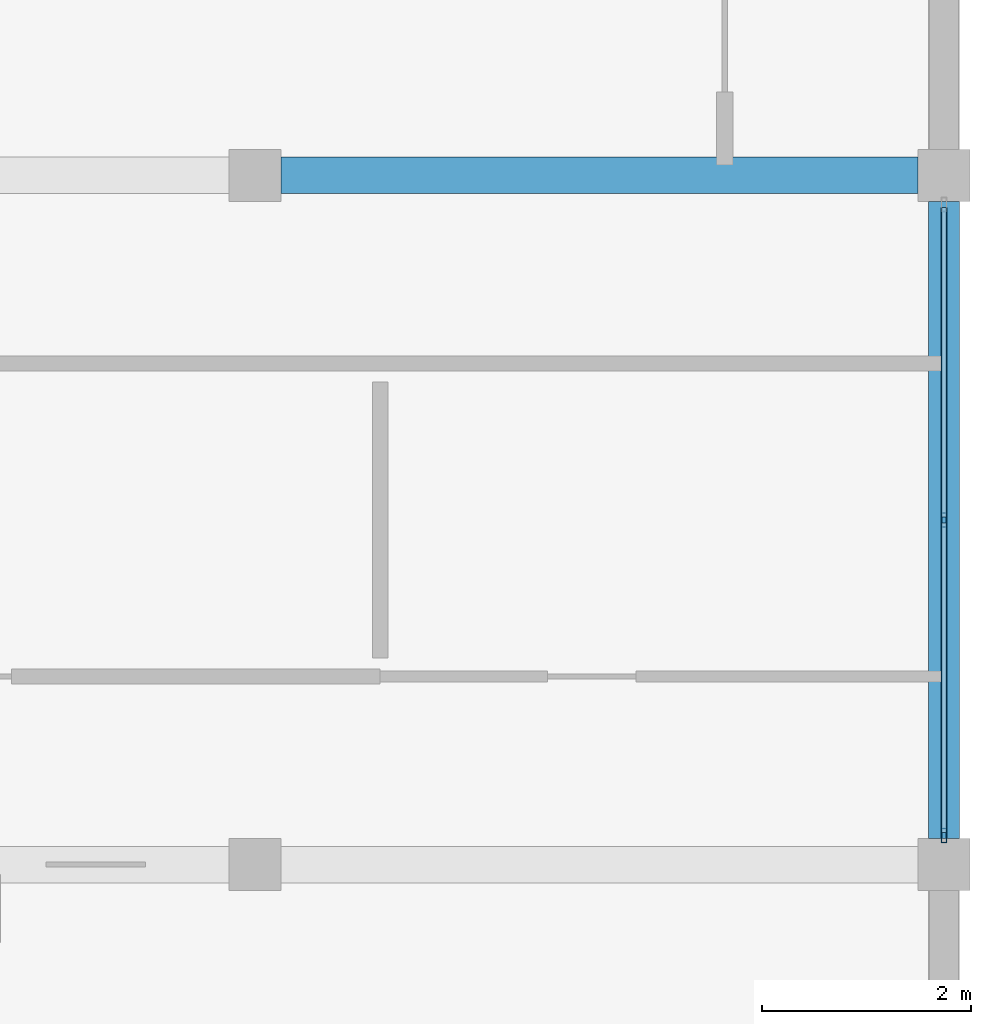
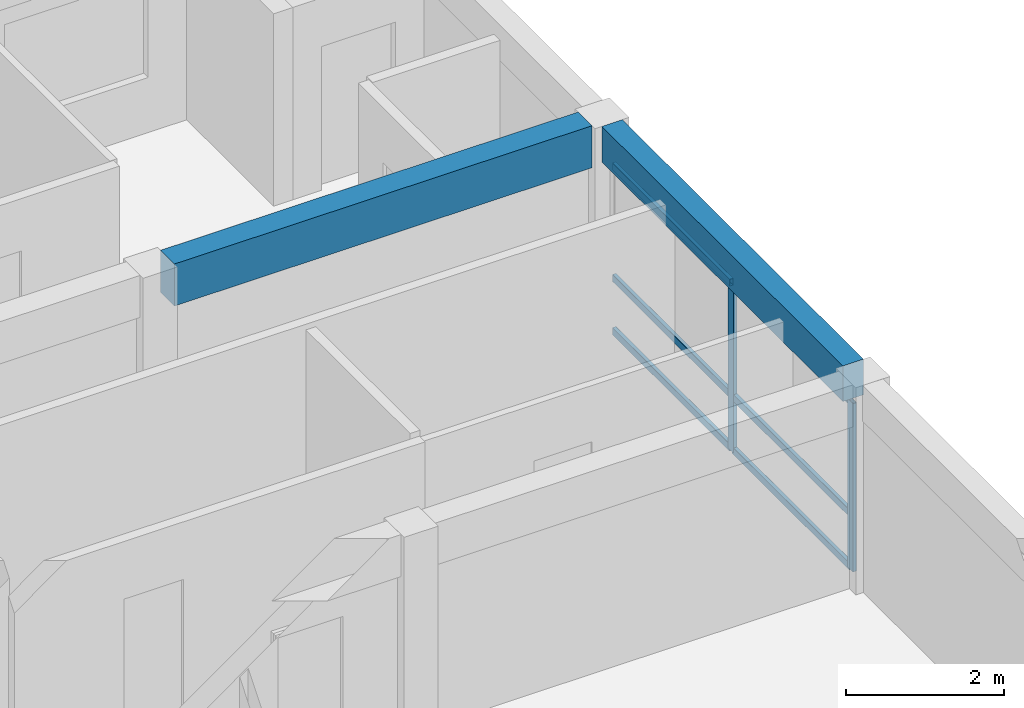
# One storey, part 21 of 46: 8 members, 2 beams, 1 element without a shape of its own.
"""IFC4 building model written with IfcOpenShell, lengths in metres."""

from ifc_helpers import new_model, si_unit, direction, frame, origin, origin_2d, place, context, subcontext, project, spatial, rectangle, hollow_rectangle, extrude, material, material_profile, profile_set, type_object, element, aggregate, save


model = new_model("IFC4")

# Units and contexts
model_context = context("Model", 3, precision=1e-05, world=origin(), true_north=direction((0.0, 1.0)))
body_context = subcontext(model_context, "Body", "Model", "MODEL_VIEW")
ifc_project = project(units=[si_unit("LENGTHUNIT", "METRE"), si_unit("AREAUNIT", "SQUARE_METRE"), si_unit("VOLUMEUNIT", "CUBIC_METRE"), si_unit("PLANEANGLEUNIT", "RADIAN"), si_unit("MASSUNIT", "GRAM", prefix="KILO")], contexts=[model_context])

# Site, building, storey
site_placement = place(None, origin())
site = spatial("IfcSite", under=ifc_project, at=site_placement, CompositionType="ELEMENT")
building_placement = place(site_placement, origin())
building = spatial("IfcBuilding", under=site, at=building_placement, Name="Kernevlak Ridge Housing Community", CompositionType="ELEMENT")
storey_placement = place(building_placement, frame((0.0, 0.0, 27.60009765625)))
storey = spatial("IfcBuildingStorey", under=building, at=storey_placement, Name="L08", CompositionType="ELEMENT", Elevation=27.60009765625)

# Beam
ifc_material_1 = material(Name="Concrete C35/45", Category="concrete")
ifc_material_profile_1 = material_profile(ifc_material_1, rectangle(XDim=0.35009765625, YDim=0.64990234375, at=origin_2d()), Name="RC 350x650")
ifc_profile_set_1 = profile_set([ifc_material_profile_1], Name="Concrete C35/45")
beam_type_1 = type_object("IfcBeamType", Name="B-02", PredefinedType="BEAM", material=ifc_profile_set_1)
beam_1_placement = place(storey_placement, frame((146.050048828125, 95.800048828125, 2.875), z_axis=(1.0, 0.0, 0.0), x_axis=(0.0, 1.0, 0.0)))
element("IfcBeam", 1, at=beam_1_placement, inside=storey, type_object=beam_type_1, Name="Beam B-02 L08 799", PredefinedType="BEAM", context=body_context, shape_type="SweptSolid", body=[
    extrude(rectangle(XDim=0.35009765625, YDim=0.64990234375, at=origin_2d()), origin(), (0.0, 0.0, 1.0), 6.099853515625),
])

# Curtain wall, members
ifc_material_2 = material(Name="Aluminium EN AW-6060 anodised and laminated glass", Category="aluminium")
curtain_wall_type = type_object("IfcCurtainWallType", Name="CW-12", PredefinedType="NOTDEFINED", material=ifc_material_2)
curtain_wall_placement = place(storey_placement, origin())
curtain_wall = element("IfcCurtainWall", 2, at=curtain_wall_placement, inside=storey, type_object=curtain_wall_type, Name="Curtain wall CW-12 CW-L08-081", PredefinedType="NOTDEFINED")
ifc_material_3 = material(Name="Aluminium EN AW-6060 anodised", Category="aluminium")
ifc_material_profile_2 = material_profile(ifc_material_3, hollow_rectangle(XDim=0.054931640625, YDim=0.139892578125, WallThickness=0.00390625, InnerFilletRadius=0.001953125, OuterFilletRadius=0.00390625, at=origin_2d()), Name="ALU 55x140x4")
ifc_profile_set_2 = profile_set([ifc_material_profile_2], Name="Aluminium EN AW-6060 anodised")
member_type_1 = type_object("IfcMemberType", Name="MU-01", PredefinedType="MULLION", material=ifc_profile_set_2)
member_1_placement = place(storey_placement, frame((152.39990234375, 89.4775390625, 0.0), z_axis=(0.0, 0.0, 1.0), x_axis=(-1.0, 0.0, 0.0)))
member_1 = element("IfcMember", 3, at=member_1_placement, type_object=member_type_1, Name="CW-12 mullion 1", PredefinedType="MULLION", context=body_context, shape_type="SweptSolid", body=[
    extrude(hollow_rectangle(XDim=0.054931640625, YDim=0.139892578125, WallThickness=0.00390625, InnerFilletRadius=0.001953125, OuterFilletRadius=0.00390625, at=origin_2d()), origin(), (0.0, 0.0, 1.0), 2.599853515625),
])
member_2_placement = place(storey_placement, frame((152.39990234375, 92.5, 0.0), z_axis=(0.0, 0.0, 1.0), x_axis=(-1.0, 0.0, 0.0)))
member_2 = element("IfcMember", 4, at=member_2_placement, type_object=member_type_1, Name="CW-12 mullion 2", PredefinedType="MULLION", context=body_context, shape_type="SweptSolid", body=[
    extrude(hollow_rectangle(XDim=0.054931640625, YDim=0.139892578125, WallThickness=0.00390625, InnerFilletRadius=0.001953125, OuterFilletRadius=0.00390625, at=origin_2d()), origin(), (0.0, 0.0, 1.0), 2.599853515625),
])

# Beam
ifc_material_profile_3 = material_profile(ifc_material_1, rectangle(XDim=0.300048828125, YDim=0.550048828125, at=origin_2d()), Name="RC 300x550")
ifc_profile_set_3 = profile_set([ifc_material_profile_3], Name="Concrete C35/45")
beam_type_2 = type_object("IfcBeamType", Name="SP-01", PredefinedType="SPANDREL", material=ifc_profile_set_3)
beam_2_placement = place(storey_placement, frame((152.39990234375, 89.449951171875, 2.9248046875), z_axis=(0.0, 1.0, 0.0), x_axis=(-1.0, 0.0, 0.0)))
element("IfcBeam", 5, at=beam_2_placement, inside=storey, type_object=beam_type_2, Name="Beam SP-01 L08 809", PredefinedType="SPANDREL", context=body_context, shape_type="SweptSolid", body=[
    extrude(rectangle(XDim=0.300048828125, YDim=0.550048828125, at=origin_2d()), origin(), (0.0, 0.0, 1.0), 6.10009765625),
])

# Member
ifc_material_profile_4 = material_profile(ifc_material_3, hollow_rectangle(XDim=0.054931640625, YDim=0.110107421875, WallThickness=0.00390625, InnerFilletRadius=0.001953125, OuterFilletRadius=0.00390625, at=origin_2d()), Name="ALU 55x110x4")
ifc_profile_set_4 = profile_set([ifc_material_profile_4], Name="Aluminium EN AW-6060 anodised")
member_type_2 = type_object("IfcMemberType", Name="TM-01", PredefinedType="USERDEFINED", material=ifc_profile_set_4)
member_3_placement = place(storey_placement, frame((152.39990234375, 89.5048828125, 0.02734375), z_axis=(0.0, 1.0, 0.0), x_axis=(-1.0, 0.0, 0.0)))
member_3 = element("IfcMember", 6, at=member_3_placement, type_object=member_type_2, Name="CW-12 transom 1.1", ObjectType="TRANSOM", PredefinedType="USERDEFINED", context=body_context, shape_type="SweptSolid", body=[
    extrude(hollow_rectangle(XDim=0.054931640625, YDim=0.110107421875, WallThickness=0.00390625, InnerFilletRadius=0.001953125, OuterFilletRadius=0.00390625, at=origin_2d()), origin(), (0.0, 0.0, 1.0), 2.967529296875),
])

member_4_placement = place(storey_placement, frame((152.39990234375, 89.5048828125, 0.849853515625), z_axis=(0.0, 1.0, 0.0), x_axis=(-1.0, 0.0, 0.0)))
member_4 = element("IfcMember", 7, at=member_4_placement, type_object=member_type_2, Name="CW-12 transom 1.2", ObjectType="TRANSOM", PredefinedType="USERDEFINED", context=body_context, shape_type="SweptSolid", body=[
    extrude(hollow_rectangle(XDim=0.054931640625, YDim=0.110107421875, WallThickness=0.00390625, InnerFilletRadius=0.001953125, OuterFilletRadius=0.00390625, at=origin_2d()), origin(), (0.0, 0.0, 1.0), 2.967529296875),
])

member_5_placement = place(storey_placement, frame((152.39990234375, 89.5048828125, 2.572509765625), z_axis=(0.0, 1.0, 0.0), x_axis=(-1.0, 0.0, 0.0)))
member_5 = element("IfcMember", 8, at=member_5_placement, type_object=member_type_2, Name="CW-12 transom 1.3", ObjectType="TRANSOM", PredefinedType="USERDEFINED", context=body_context, shape_type="SweptSolid", body=[
    extrude(hollow_rectangle(XDim=0.054931640625, YDim=0.110107421875, WallThickness=0.00390625, InnerFilletRadius=0.001953125, OuterFilletRadius=0.00390625, at=origin_2d()), origin(), (0.0, 0.0, 1.0), 2.967529296875),
])

member_6_placement = place(storey_placement, frame((152.39990234375, 92.527587890625, 0.02734375), z_axis=(0.0, 1.0, 0.0), x_axis=(-1.0, 0.0, 0.0)))
member_6 = element("IfcMember", 9, at=member_6_placement, type_object=member_type_2, Name="CW-12 transom 2.1", ObjectType="TRANSOM", PredefinedType="USERDEFINED", context=body_context, shape_type="SweptSolid", body=[
    extrude(hollow_rectangle(XDim=0.054931640625, YDim=0.110107421875, WallThickness=0.00390625, InnerFilletRadius=0.001953125, OuterFilletRadius=0.00390625, at=origin_2d()), origin(), (0.0, 0.0, 1.0), 2.967529296875),
])

member_7_placement = place(storey_placement, frame((152.39990234375, 92.527587890625, 0.849853515625), z_axis=(0.0, 1.0, 0.0), x_axis=(-1.0, 0.0, 0.0)))
member_7 = element("IfcMember", 10, at=member_7_placement, type_object=member_type_2, Name="CW-12 transom 2.2", ObjectType="TRANSOM", PredefinedType="USERDEFINED", context=body_context, shape_type="SweptSolid", body=[
    extrude(hollow_rectangle(XDim=0.054931640625, YDim=0.110107421875, WallThickness=0.00390625, InnerFilletRadius=0.001953125, OuterFilletRadius=0.00390625, at=origin_2d()), origin(), (0.0, 0.0, 1.0), 2.967529296875),
])

member_8_placement = place(storey_placement, frame((152.39990234375, 92.527587890625, 2.572509765625), z_axis=(0.0, 1.0, 0.0), x_axis=(-1.0, 0.0, 0.0)))
member_8 = element("IfcMember", 11, at=member_8_placement, type_object=member_type_2, Name="CW-12 transom 2.3", ObjectType="TRANSOM", PredefinedType="USERDEFINED", context=body_context, shape_type="SweptSolid", body=[
    extrude(hollow_rectangle(XDim=0.054931640625, YDim=0.110107421875, WallThickness=0.00390625, InnerFilletRadius=0.001953125, OuterFilletRadius=0.00390625, at=origin_2d()), origin(), (0.0, 0.0, 1.0), 2.967529296875),
])

aggregate(curtain_wall, [member_1, member_2, member_3, member_4, member_5, member_6, member_7, member_8])

save(model, "model.ifc")
